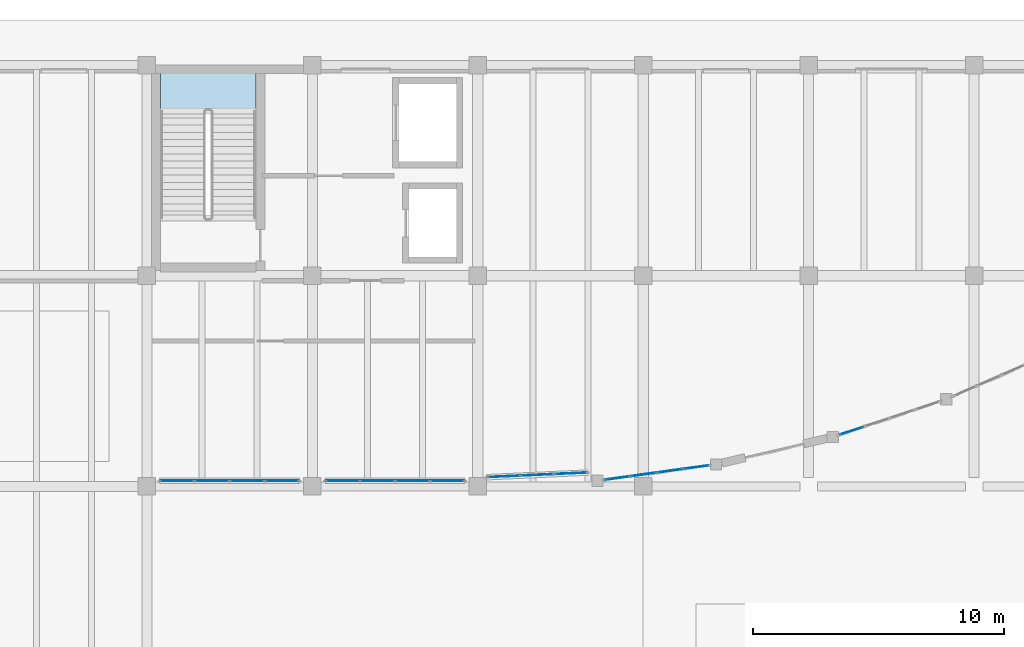
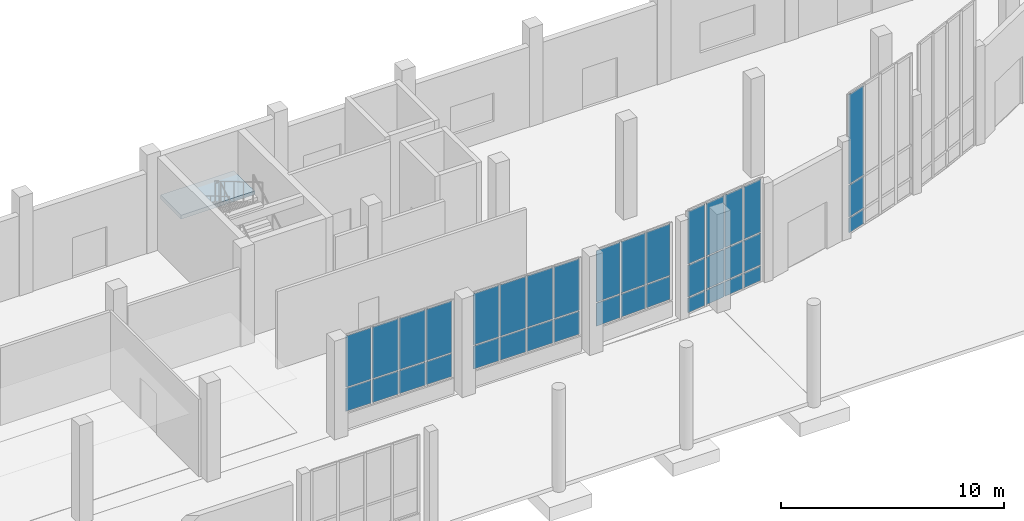
# One storey, part 33 of 64: 37 plates, 1 slab, 6 elements without a shape of their own.
"""IFC4 building model written with IfcOpenShell, lengths in metres."""

from ifc_helpers import new_model, si_unit, direction, frame, origin, origin_2d, place, context, subcontext, project, spatial, polyline, rectangle, outline, extrude, material, layer, layer_set, type_object, element, aggregate, save


model = new_model("IFC4")

# Units and contexts
model_context = context("Model", 3, precision=1e-05, world=origin(), true_north=direction((0.0, 1.0)))
body_context = subcontext(model_context, "Body", "Model", "MODEL_VIEW")
ifc_project = project(units=[si_unit("LENGTHUNIT", "METRE"), si_unit("AREAUNIT", "SQUARE_METRE"), si_unit("VOLUMEUNIT", "CUBIC_METRE"), si_unit("PLANEANGLEUNIT", "RADIAN"), si_unit("MASSUNIT", "GRAM", prefix="KILO")], contexts=[model_context])

# Site, building, storey
site_placement = place(None, origin())
site = spatial("IfcSite", under=ifc_project, at=site_placement, CompositionType="ELEMENT")
building_placement = place(site_placement, origin())
building = spatial("IfcBuilding", under=site, at=building_placement, Name="Qaldarim Faculty of Natural and Applied Sciences", CompositionType="ELEMENT")
storey_placement = place(building_placement, origin())
storey = spatial("IfcBuildingStorey", under=building, at=storey_placement, Name="L00", CompositionType="ELEMENT", Elevation=0.0)

# Curtain wall, plates
ifc_material_1 = material(Name="Anodised aluminium AW-6063", Category="aluminium")
curtain_wall_type_1 = type_object("IfcCurtainWallType", Name="CurtainWallSystem-M1200", PredefinedType="USERDEFINED", material=ifc_material_1)
curtain_wall_1_placement = place(storey_placement, origin())
curtain_wall_1 = element("IfcCurtainWall", 1, at=curtain_wall_1_placement, inside=storey, type_object=curtain_wall_type_1, Name="Curtain wall CW-PORT-ARCH-1", ObjectType="STICK CURTAIN WALL", PredefinedType="USERDEFINED")
ifc_material_2 = material(Name="Insulated low-e double glazing", Category="glass")
ifc_layer_1 = layer(ifc_material_2, 0.031982421875)
ifc_layer_set_1 = layer_set([ifc_layer_1], Name="Insulated low-e double glazing")
plate_type_1 = type_object("IfcPlateType", Name="SolarControlGlazingPanel-32", PredefinedType="CURTAIN_PANEL", material=ifc_layer_set_1)
plate_1_placement = place(storey_placement, frame((117.77099609375, 101.130615234375, 0.070068359375), z_axis=(0.0, 0.0, 1.0), x_axis=(0.990571731609, 0.136995052965, 0.0)))
plate_1 = element("IfcPlate", 2, at=plate_1_placement, type_object=plate_type_1, Name="Glazed panel 1-1 of CW-PORT-ARCH-1", PredefinedType="CURTAIN_PANEL", context=body_context, shape_type="SweptSolid", body=[
    extrude(rectangle(XDim=0.962646484375, YDim=0.031982421875, at=origin_2d()), origin(), (0.0, 0.0, 1.0), 0.794921875),
])
plate_2_placement = place(storey_placement, frame((117.77099609375, 101.130615234375, 0.93505859375), z_axis=(0.0, 0.0, 1.0), x_axis=(0.990571731609, 0.136995052965, 0.0)))
plate_2 = element("IfcPlate", 3, at=plate_2_placement, type_object=plate_type_1, Name="Glazed panel 1-2 of CW-PORT-ARCH-1", PredefinedType="CURTAIN_PANEL", context=body_context, shape_type="SweptSolid", body=[
    extrude(rectangle(XDim=0.962646484375, YDim=0.031982421875, at=origin_2d()), origin(), (0.0, 0.0, 1.0), 1.72998046875),
])
plate_3_placement = place(storey_placement, frame((117.77099609375, 101.130615234375, 2.73486328125), z_axis=(0.0, 0.0, 1.0), x_axis=(0.990571731609, 0.136995052965, 0.0)))
plate_3 = element("IfcPlate", 4, at=plate_3_placement, type_object=plate_type_1, Name="Glazed panel 1-3 of CW-PORT-ARCH-1", PredefinedType="CURTAIN_PANEL", context=body_context, shape_type="SweptSolid", body=[
    extrude(rectangle(XDim=0.962646484375, YDim=0.031982421875, at=origin_2d()), origin(), (0.0, 0.0, 1.0), 2.8701171875),
])
plate_4_placement = place(storey_placement, frame((118.811279296875, 101.2744140625, 0.070068359375), z_axis=(0.0, 0.0, 1.0), x_axis=(0.990571731609, 0.136995052965, 0.0)))
plate_4 = element("IfcPlate", 5, at=plate_4_placement, type_object=plate_type_1, Name="Glazed panel 2-1 of CW-PORT-ARCH-1", PredefinedType="CURTAIN_PANEL", context=body_context, shape_type="SweptSolid", body=[
    extrude(rectangle(XDim=0.99755859375, YDim=0.031982421875, at=origin_2d()), origin(), (0.0, 0.0, 1.0), 0.794921875),
])
plate_5_placement = place(storey_placement, frame((118.811279296875, 101.2744140625, 0.93505859375), z_axis=(0.0, 0.0, 1.0), x_axis=(0.990571731609, 0.136995052965, 0.0)))
plate_5 = element("IfcPlate", 6, at=plate_5_placement, type_object=plate_type_1, Name="Glazed panel 2-2 of CW-PORT-ARCH-1", PredefinedType="CURTAIN_PANEL", context=body_context, shape_type="SweptSolid", body=[
    extrude(rectangle(XDim=0.99755859375, YDim=0.031982421875, at=origin_2d()), origin(), (0.0, 0.0, 1.0), 1.72998046875),
])
plate_6_placement = place(storey_placement, frame((118.811279296875, 101.2744140625, 2.73486328125), z_axis=(0.0, 0.0, 1.0), x_axis=(0.990571731609, 0.136995052965, 0.0)))
plate_6 = element("IfcPlate", 7, at=plate_6_placement, type_object=plate_type_1, Name="Glazed panel 2-3 of CW-PORT-ARCH-1", PredefinedType="CURTAIN_PANEL", context=body_context, shape_type="SweptSolid", body=[
    extrude(rectangle(XDim=0.99755859375, YDim=0.031982421875, at=origin_2d()), origin(), (0.0, 0.0, 1.0), 2.8701171875),
])
plate_7_placement = place(storey_placement, frame((119.86865234375, 101.420654296875, 0.070068359375), z_axis=(0.0, 0.0, 1.0), x_axis=(0.990571731609, 0.136995052965, 0.0)))
plate_7 = element("IfcPlate", 8, at=plate_7_placement, type_object=plate_type_1, Name="Glazed panel 3-1 of CW-PORT-ARCH-1", PredefinedType="CURTAIN_PANEL", context=body_context, shape_type="SweptSolid", body=[
    extrude(rectangle(XDim=0.99755859375, YDim=0.031982421875, at=origin_2d()), origin(), (0.0, 0.0, 1.0), 0.794921875),
])
plate_8_placement = place(storey_placement, frame((119.86865234375, 101.420654296875, 0.93505859375), z_axis=(0.0, 0.0, 1.0), x_axis=(0.990571731609, 0.136995052965, 0.0)))
plate_8 = element("IfcPlate", 9, at=plate_8_placement, type_object=plate_type_1, Name="Glazed panel 3-2 of CW-PORT-ARCH-1", PredefinedType="CURTAIN_PANEL", context=body_context, shape_type="SweptSolid", body=[
    extrude(rectangle(XDim=0.99755859375, YDim=0.031982421875, at=origin_2d()), origin(), (0.0, 0.0, 1.0), 1.72998046875),
])
plate_9_placement = place(storey_placement, frame((119.86865234375, 101.420654296875, 2.73486328125), z_axis=(0.0, 0.0, 1.0), x_axis=(0.990571731609, 0.136995052965, 0.0)))
plate_9 = element("IfcPlate", 10, at=plate_9_placement, type_object=plate_type_1, Name="Glazed panel 3-3 of CW-PORT-ARCH-1", PredefinedType="CURTAIN_PANEL", context=body_context, shape_type="SweptSolid", body=[
    extrude(rectangle(XDim=0.99755859375, YDim=0.031982421875, at=origin_2d()), origin(), (0.0, 0.0, 1.0), 2.8701171875),
])
plate_10_placement = place(storey_placement, frame((120.908935546875, 101.564453125, 0.070068359375), z_axis=(0.0, 0.0, 1.0), x_axis=(0.990571731609, 0.136995052965, 0.0)))
plate_10 = element("IfcPlate", 11, at=plate_10_placement, type_object=plate_type_1, Name="Glazed panel 4-1 of CW-PORT-ARCH-1", PredefinedType="CURTAIN_PANEL", context=body_context, shape_type="SweptSolid", body=[
    extrude(rectangle(XDim=0.962646484375, YDim=0.031982421875, at=origin_2d()), origin(), (0.0, 0.0, 1.0), 0.794921875),
])
plate_11_placement = place(storey_placement, frame((120.908935546875, 101.564453125, 0.93505859375), z_axis=(0.0, 0.0, 1.0), x_axis=(0.990571731609, 0.136995052965, 0.0)))
plate_11 = element("IfcPlate", 12, at=plate_11_placement, type_object=plate_type_1, Name="Glazed panel 4-2 of CW-PORT-ARCH-1", PredefinedType="CURTAIN_PANEL", context=body_context, shape_type="SweptSolid", body=[
    extrude(rectangle(XDim=0.962646484375, YDim=0.031982421875, at=origin_2d()), origin(), (0.0, 0.0, 1.0), 1.72998046875),
])
plate_12_placement = place(storey_placement, frame((120.908935546875, 101.564453125, 2.73486328125), z_axis=(0.0, 0.0, 1.0), x_axis=(0.990571731609, 0.136995052965, 0.0)))
plate_12 = element("IfcPlate", 13, at=plate_12_placement, type_object=plate_type_1, Name="Glazed panel 4-3 of CW-PORT-ARCH-1", PredefinedType="CURTAIN_PANEL", context=body_context, shape_type="SweptSolid", body=[
    extrude(rectangle(XDim=0.962646484375, YDim=0.031982421875, at=origin_2d()), origin(), (0.0, 0.0, 1.0), 2.8701171875),
])
aggregate(curtain_wall_1, [plate_1, plate_2, plate_3, plate_4, plate_5, plate_6, plate_7, plate_8, plate_9, plate_10, plate_11, plate_12])

curtain_wall_2_placement = place(storey_placement, origin())
curtain_wall_2 = element("IfcCurtainWall", 14, at=curtain_wall_2_placement, inside=storey, type_object=curtain_wall_type_1, Name="Curtain wall CW-PORT-ARCH-3", ObjectType="STICK CURTAIN WALL", PredefinedType="USERDEFINED")
plate_13_placement = place(storey_placement, frame((127.119140625, 103.019287109375, 0.070068359375), z_axis=(0.0, 0.0, 1.0), x_axis=(0.948914568368, 0.315533107517, 0.0)))
plate_13 = element("IfcPlate", 15, at=plate_13_placement, type_object=plate_type_1, Name="Glazed panel 1-1 of CW-PORT-ARCH-3", PredefinedType="CURTAIN_PANEL", context=body_context, shape_type="SweptSolid", body=[
    extrude(rectangle(XDim=0.964599609375, YDim=0.031982421875, at=origin_2d()), origin(), (0.0, 0.0, 1.0), 0.794921875),
])
plate_14_placement = place(storey_placement, frame((127.119140625, 103.019287109375, 0.93505859375), z_axis=(0.0, 0.0, 1.0), x_axis=(0.948914568368, 0.315533107517, 0.0)))
plate_14 = element("IfcPlate", 16, at=plate_14_placement, type_object=plate_type_1, Name="Glazed panel 1-2 of CW-PORT-ARCH-3", PredefinedType="CURTAIN_PANEL", context=body_context, shape_type="SweptSolid", body=[
    extrude(rectangle(XDim=0.964599609375, YDim=0.031982421875, at=origin_2d()), origin(), (0.0, 0.0, 1.0), 1.72998046875),
])
plate_15_placement = place(storey_placement, frame((127.119140625, 103.019287109375, 2.735107421875), z_axis=(0.0, 0.0, 1.0), x_axis=(0.948914568368, 0.315533107517, 0.0)))
plate_15 = element("IfcPlate", 17, at=plate_15_placement, type_object=plate_type_1, Name="Glazed panel 1-3 of CW-PORT-ARCH-3", PredefinedType="CURTAIN_PANEL", context=body_context, shape_type="SweptSolid", body=[
    extrude(rectangle(XDim=0.964599609375, YDim=0.031982421875, at=origin_2d()), origin(), (0.0, 0.0, 1.0), 4.89501953125),
])
aggregate(curtain_wall_2, [plate_13, plate_14, plate_15])

# Stair, slab
ifc_material_3 = material(Name="Concrete C40/50", Category="concrete")
stair_type = type_object("IfcStairType", Name="DoglegStair-W1800-H5400-32R", PredefinedType="HALF_TURN_STAIR", material=ifc_material_3)
stair_placement = place(storey_placement, origin())
stair = element("IfcStair", 18, at=stair_placement, inside=storey, type_object=stair_type, Name="Enclosed exit stair ST-B1 L00", PredefinedType="HALF_TURN_STAIR")
ifc_layer_2 = layer(ifc_material_3, 0.2099609375)
ifc_layer_set_2 = layer_set([ifc_layer_2], Name="Concrete C40/50")
slab_type = type_object("IfcSlabType", Name="StairLandingSlab-210", PredefinedType="LANDING", material=ifc_layer_set_2)
slab_placement = place(storey_placement, frame((0.0, 0.0, 2.489990234375)))
slab = element("IfcSlab", 19, at=slab_placement, type_object=slab_type, Name="ST-B1 L00 half-landing 1", PredefinedType="LANDING", context=body_context, shape_type="SweptSolid", body=[
    extrude(outline(polyline([(103.35009765625, 115.760009765625), (103.35009765625, 117.60009765625), (99.550048828125, 117.60009765625), (99.550048828125, 115.760009765625), (103.35009765625, 115.760009765625)])), origin(), (0.0, 0.0, 1.0), 0.2099609375),
])
aggregate(stair, [slab])

# Curtain wall, plates
curtain_wall_type_2 = type_object("IfcCurtainWallType", Name="CurtainWallSystem-M1400", PredefinedType="USERDEFINED", material=ifc_material_1)
curtain_wall_3_placement = place(storey_placement, origin())
curtain_wall_3 = element("IfcCurtainWall", 20, at=curtain_wall_3_placement, inside=storey, type_object=curtain_wall_type_2, Name="Curtain wall CW-V4RIB-L00-X16", ObjectType="STICK CURTAIN WALL", PredefinedType="USERDEFINED")
ifc_layer_3 = layer(ifc_material_2, 0.028076171875)
ifc_layer_set_3 = layer_set([ifc_layer_3], Name="Insulated low-e double glazing")
plate_type_2 = type_object("IfcPlateType", Name="VisionGlazingPanel-28", PredefinedType="CURTAIN_PANEL", material=ifc_layer_set_3)
plate_16_placement = place(storey_placement, frame((100.215087890625, 101.02001953125, 0.91015625), z_axis=(0.0, 0.0, 1.0), x_axis=(1.0, 0.0, 0.0)))
plate_16 = element("IfcPlate", 21, at=plate_16_placement, type_object=plate_type_2, Name="Glazed panel 1-1 of CW-V4RIB-L00-X16", PredefinedType="CURTAIN_PANEL", context=body_context, shape_type="SweptSolid", body=[
    extrude(rectangle(XDim=1.31005859375, YDim=0.028076171875, at=origin_2d()), origin(), (0.0, 0.0, 1.0), 1.260009765625),
])
plate_17_placement = place(storey_placement, frame((100.215087890625, 101.02001953125, 2.22998046875), z_axis=(0.0, 0.0, 1.0), x_axis=(1.0, 0.0, 0.0)))
plate_17 = element("IfcPlate", 22, at=plate_17_placement, type_object=plate_type_2, Name="Glazed panel 1-2 of CW-V4RIB-L00-X16", PredefinedType="CURTAIN_PANEL", context=body_context, shape_type="SweptSolid", body=[
    extrude(rectangle(XDim=1.31005859375, YDim=0.028076171875, at=origin_2d()), origin(), (0.0, 0.0, 1.0), 2.81005859375),
])
plate_18_placement = place(storey_placement, frame((101.60009765625, 101.02001953125, 0.91015625), z_axis=(0.0, 0.0, 1.0), x_axis=(1.0, 0.0, 0.0)))
plate_18 = element("IfcPlate", 23, at=plate_18_placement, type_object=plate_type_2, Name="Glazed panel 2-1 of CW-V4RIB-L00-X16", PredefinedType="CURTAIN_PANEL", context=body_context, shape_type="SweptSolid", body=[
    extrude(rectangle(XDim=1.340087890625, YDim=0.028076171875, at=origin_2d()), origin(), (0.0, 0.0, 1.0), 1.260009765625),
])
plate_19_placement = place(storey_placement, frame((101.60009765625, 101.02001953125, 2.22998046875), z_axis=(0.0, 0.0, 1.0), x_axis=(1.0, 0.0, 0.0)))
plate_19 = element("IfcPlate", 24, at=plate_19_placement, type_object=plate_type_2, Name="Glazed panel 2-2 of CW-V4RIB-L00-X16", PredefinedType="CURTAIN_PANEL", context=body_context, shape_type="SweptSolid", body=[
    extrude(rectangle(XDim=1.340087890625, YDim=0.028076171875, at=origin_2d()), origin(), (0.0, 0.0, 1.0), 2.81005859375),
])
plate_20_placement = place(storey_placement, frame((103.0, 101.02001953125, 0.91015625), z_axis=(0.0, 0.0, 1.0), x_axis=(1.0, 0.0, 0.0)))
plate_20 = element("IfcPlate", 25, at=plate_20_placement, type_object=plate_type_2, Name="Glazed panel 3-1 of CW-V4RIB-L00-X16", PredefinedType="CURTAIN_PANEL", context=body_context, shape_type="SweptSolid", body=[
    extrude(rectangle(XDim=1.340087890625, YDim=0.028076171875, at=origin_2d()), origin(), (0.0, 0.0, 1.0), 1.260009765625),
])
plate_21_placement = place(storey_placement, frame((103.0, 101.02001953125, 2.22998046875), z_axis=(0.0, 0.0, 1.0), x_axis=(1.0, 0.0, 0.0)))
plate_21 = element("IfcPlate", 26, at=plate_21_placement, type_object=plate_type_2, Name="Glazed panel 3-2 of CW-V4RIB-L00-X16", PredefinedType="CURTAIN_PANEL", context=body_context, shape_type="SweptSolid", body=[
    extrude(rectangle(XDim=1.340087890625, YDim=0.028076171875, at=origin_2d()), origin(), (0.0, 0.0, 1.0), 2.81005859375),
])
plate_22_placement = place(storey_placement, frame((104.385009765625, 101.02001953125, 0.91015625), z_axis=(0.0, 0.0, 1.0), x_axis=(1.0, 0.0, 0.0)))
plate_22 = element("IfcPlate", 27, at=plate_22_placement, type_object=plate_type_2, Name="Glazed panel 4-1 of CW-V4RIB-L00-X16", PredefinedType="CURTAIN_PANEL", context=body_context, shape_type="SweptSolid", body=[
    extrude(rectangle(XDim=1.31005859375, YDim=0.028076171875, at=origin_2d()), origin(), (0.0, 0.0, 1.0), 1.260009765625),
])
plate_23_placement = place(storey_placement, frame((104.385009765625, 101.02001953125, 2.22998046875), z_axis=(0.0, 0.0, 1.0), x_axis=(1.0, 0.0, 0.0)))
plate_23 = element("IfcPlate", 28, at=plate_23_placement, type_object=plate_type_2, Name="Glazed panel 4-2 of CW-V4RIB-L00-X16", PredefinedType="CURTAIN_PANEL", context=body_context, shape_type="SweptSolid", body=[
    extrude(rectangle(XDim=1.31005859375, YDim=0.028076171875, at=origin_2d()), origin(), (0.0, 0.0, 1.0), 2.81005859375),
])
aggregate(curtain_wall_3, [plate_16, plate_17, plate_18, plate_19, plate_20, plate_21, plate_22, plate_23])

curtain_wall_4_placement = place(storey_placement, origin())
curtain_wall_4 = element("IfcCurtainWall", 29, at=curtain_wall_4_placement, inside=storey, type_object=curtain_wall_type_2, Name="Curtain wall CW-V4RIB-L00-X17", ObjectType="STICK CURTAIN WALL", PredefinedType="USERDEFINED")
plate_24_placement = place(storey_placement, frame((106.81494140625, 101.02001953125, 0.91015625), z_axis=(0.0, 0.0, 1.0), x_axis=(1.0, 0.0, 0.0)))
plate_24 = element("IfcPlate", 30, at=plate_24_placement, type_object=plate_type_2, Name="Glazed panel 1-1 of CW-V4RIB-L00-X17", PredefinedType="CURTAIN_PANEL", context=body_context, shape_type="SweptSolid", body=[
    extrude(rectangle(XDim=1.31005859375, YDim=0.028076171875, at=origin_2d()), origin(), (0.0, 0.0, 1.0), 1.260009765625),
])
plate_25_placement = place(storey_placement, frame((106.81494140625, 101.02001953125, 2.22998046875), z_axis=(0.0, 0.0, 1.0), x_axis=(1.0, 0.0, 0.0)))
plate_25 = element("IfcPlate", 31, at=plate_25_placement, type_object=plate_type_2, Name="Glazed panel 1-2 of CW-V4RIB-L00-X17", PredefinedType="CURTAIN_PANEL", context=body_context, shape_type="SweptSolid", body=[
    extrude(rectangle(XDim=1.31005859375, YDim=0.028076171875, at=origin_2d()), origin(), (0.0, 0.0, 1.0), 2.81005859375),
])
plate_26_placement = place(storey_placement, frame((108.199951171875, 101.02001953125, 0.91015625), z_axis=(0.0, 0.0, 1.0), x_axis=(1.0, 0.0, 0.0)))
plate_26 = element("IfcPlate", 32, at=plate_26_placement, type_object=plate_type_2, Name="Glazed panel 2-1 of CW-V4RIB-L00-X17", PredefinedType="CURTAIN_PANEL", context=body_context, shape_type="SweptSolid", body=[
    extrude(rectangle(XDim=1.340087890625, YDim=0.028076171875, at=origin_2d()), origin(), (0.0, 0.0, 1.0), 1.260009765625),
])
plate_27_placement = place(storey_placement, frame((108.199951171875, 101.02001953125, 2.22998046875), z_axis=(0.0, 0.0, 1.0), x_axis=(1.0, 0.0, 0.0)))
plate_27 = element("IfcPlate", 33, at=plate_27_placement, type_object=plate_type_2, Name="Glazed panel 2-2 of CW-V4RIB-L00-X17", PredefinedType="CURTAIN_PANEL", context=body_context, shape_type="SweptSolid", body=[
    extrude(rectangle(XDim=1.340087890625, YDim=0.028076171875, at=origin_2d()), origin(), (0.0, 0.0, 1.0), 2.81005859375),
])
plate_28_placement = place(storey_placement, frame((109.60009765625, 101.02001953125, 0.91015625), z_axis=(0.0, 0.0, 1.0), x_axis=(1.0, 0.0, 0.0)))
plate_28 = element("IfcPlate", 34, at=plate_28_placement, type_object=plate_type_2, Name="Glazed panel 3-1 of CW-V4RIB-L00-X17", PredefinedType="CURTAIN_PANEL", context=body_context, shape_type="SweptSolid", body=[
    extrude(rectangle(XDim=1.340087890625, YDim=0.028076171875, at=origin_2d()), origin(), (0.0, 0.0, 1.0), 1.260009765625),
])
plate_29_placement = place(storey_placement, frame((109.60009765625, 101.02001953125, 2.22998046875), z_axis=(0.0, 0.0, 1.0), x_axis=(1.0, 0.0, 0.0)))
plate_29 = element("IfcPlate", 35, at=plate_29_placement, type_object=plate_type_2, Name="Glazed panel 3-2 of CW-V4RIB-L00-X17", PredefinedType="CURTAIN_PANEL", context=body_context, shape_type="SweptSolid", body=[
    extrude(rectangle(XDim=1.340087890625, YDim=0.028076171875, at=origin_2d()), origin(), (0.0, 0.0, 1.0), 2.81005859375),
])
plate_30_placement = place(storey_placement, frame((110.985107421875, 101.02001953125, 0.91015625), z_axis=(0.0, 0.0, 1.0), x_axis=(1.0, 0.0, 0.0)))
plate_30 = element("IfcPlate", 36, at=plate_30_placement, type_object=plate_type_2, Name="Glazed panel 4-1 of CW-V4RIB-L00-X17", PredefinedType="CURTAIN_PANEL", context=body_context, shape_type="SweptSolid", body=[
    extrude(rectangle(XDim=1.31005859375, YDim=0.028076171875, at=origin_2d()), origin(), (0.0, 0.0, 1.0), 1.260009765625),
])
plate_31_placement = place(storey_placement, frame((110.985107421875, 101.02001953125, 2.22998046875), z_axis=(0.0, 0.0, 1.0), x_axis=(1.0, 0.0, 0.0)))
plate_31 = element("IfcPlate", 37, at=plate_31_placement, type_object=plate_type_2, Name="Glazed panel 4-2 of CW-V4RIB-L00-X17", PredefinedType="CURTAIN_PANEL", context=body_context, shape_type="SweptSolid", body=[
    extrude(rectangle(XDim=1.31005859375, YDim=0.028076171875, at=origin_2d()), origin(), (0.0, 0.0, 1.0), 2.81005859375),
])
aggregate(curtain_wall_4, [plate_24, plate_25, plate_26, plate_27, plate_28, plate_29, plate_30, plate_31])

curtain_wall_5_placement = place(storey_placement, origin())
curtain_wall_5 = element("IfcCurtainWall", 38, at=curtain_wall_5_placement, inside=storey, type_object=curtain_wall_type_2, Name="Curtain wall CW-V4ARC-L00-00", ObjectType="STICK CURTAIN WALL", PredefinedType="USERDEFINED")
plate_32_placement = place(storey_placement, frame((113.23828125, 101.196533203125, 0.91015625), z_axis=(0.0, 0.0, 1.0), x_axis=(0.998953078013, 0.045746561938, 0.0)))
plate_32 = element("IfcPlate", 39, at=plate_32_placement, type_object=plate_type_2, Name="Glazed panel 1-1 of CW-V4ARC-L00-00", PredefinedType="CURTAIN_PANEL", context=body_context, shape_type="SweptSolid", body=[
    extrude(rectangle(XDim=1.258056640625, YDim=0.028076171875, at=origin_2d()), origin(), (0.0, 0.0, 1.0), 1.260009765625),
])
plate_33_placement = place(storey_placement, frame((113.23828125, 101.196533203125, 2.22998046875), z_axis=(0.0, 0.0, 1.0), x_axis=(0.998953078013, 0.045746561938, 0.0)))
plate_33 = element("IfcPlate", 40, at=plate_33_placement, type_object=plate_type_2, Name="Glazed panel 1-2 of CW-V4ARC-L00-00", PredefinedType="CURTAIN_PANEL", context=body_context, shape_type="SweptSolid", body=[
    extrude(rectangle(XDim=1.258056640625, YDim=0.028076171875, at=origin_2d()), origin(), (0.0, 0.0, 1.0), 2.81005859375),
])
plate_34_placement = place(storey_placement, frame((114.570068359375, 101.257568359375, 0.91015625), z_axis=(0.0, 0.0, 1.0), x_axis=(0.998953078013, 0.045746561938, 0.0)))
plate_34 = element("IfcPlate", 41, at=plate_34_placement, type_object=plate_type_2, Name="Glazed panel 2-1 of CW-V4ARC-L00-00", PredefinedType="CURTAIN_PANEL", context=body_context, shape_type="SweptSolid", body=[
    extrude(rectangle(XDim=1.2880859375, YDim=0.028076171875, at=origin_2d()), origin(), (0.0, 0.0, 1.0), 1.260009765625),
])
plate_35_placement = place(storey_placement, frame((114.570068359375, 101.257568359375, 2.22998046875), z_axis=(0.0, 0.0, 1.0), x_axis=(0.998953078013, 0.045746561938, 0.0)))
plate_35 = element("IfcPlate", 42, at=plate_35_placement, type_object=plate_type_2, Name="Glazed panel 2-2 of CW-V4ARC-L00-00", PredefinedType="CURTAIN_PANEL", context=body_context, shape_type="SweptSolid", body=[
    extrude(rectangle(XDim=1.2880859375, YDim=0.028076171875, at=origin_2d()), origin(), (0.0, 0.0, 1.0), 2.81005859375),
])
plate_36_placement = place(storey_placement, frame((115.901611328125, 101.318603515625, 0.91015625), z_axis=(0.0, 0.0, 1.0), x_axis=(0.998953078013, 0.045746561938, 0.0)))
plate_36 = element("IfcPlate", 43, at=plate_36_placement, type_object=plate_type_2, Name="Glazed panel 3-1 of CW-V4ARC-L00-00", PredefinedType="CURTAIN_PANEL", context=body_context, shape_type="SweptSolid", body=[
    extrude(rectangle(XDim=1.258056640625, YDim=0.028076171875, at=origin_2d()), origin(), (0.0, 0.0, 1.0), 1.260009765625),
])
plate_37_placement = place(storey_placement, frame((115.901611328125, 101.318603515625, 2.22998046875), z_axis=(0.0, 0.0, 1.0), x_axis=(0.998953078013, 0.045746561938, 0.0)))
plate_37 = element("IfcPlate", 44, at=plate_37_placement, type_object=plate_type_2, Name="Glazed panel 3-2 of CW-V4ARC-L00-00", PredefinedType="CURTAIN_PANEL", context=body_context, shape_type="SweptSolid", body=[
    extrude(rectangle(XDim=1.258056640625, YDim=0.028076171875, at=origin_2d()), origin(), (0.0, 0.0, 1.0), 2.81005859375),
])
aggregate(curtain_wall_5, [plate_32, plate_33, plate_34, plate_35, plate_36, plate_37])

save(model, "model.ifc")
